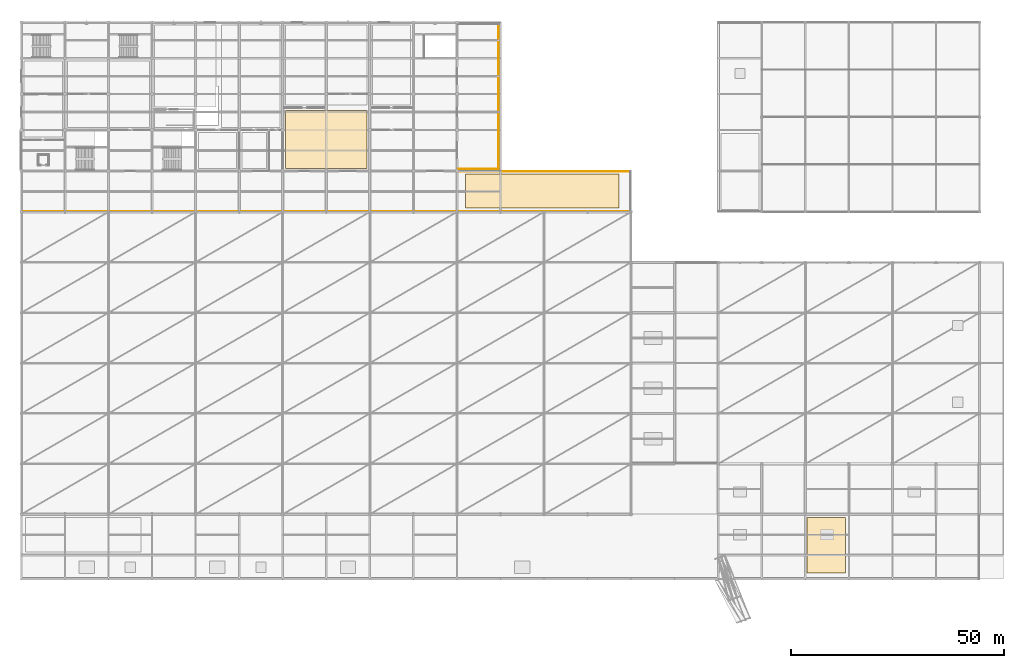
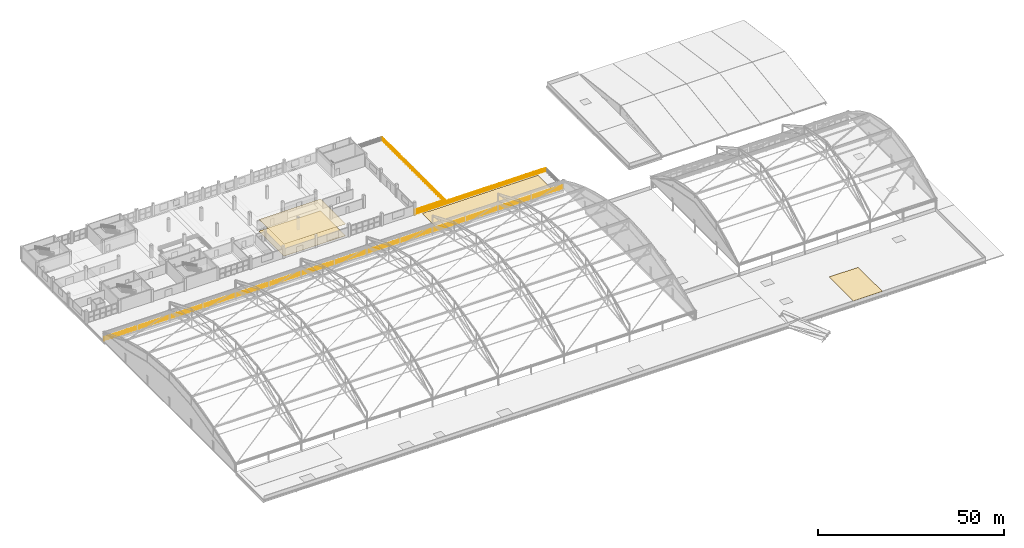
# One storey, part 132 of 135: 4 coverings, 4 railings.
"""IFC4 building model written with IfcOpenShell, lengths in metres."""

from ifc_helpers import new_model, si_unit, direction, frame, origin, origin_2d, place, context, subcontext, project, spatial, polyline, circle, outline, extrude, material, layer, layer_set, type_object, element, save


model = new_model("IFC4")

# Units and contexts
model_context = context("Model", 3, precision=1e-05, world=origin(), true_north=direction((0.0, 1.0)))
body_context = subcontext(model_context, "Body", "Model", "MODEL_VIEW")
ifc_project = project(units=[si_unit("LENGTHUNIT", "METRE"), si_unit("AREAUNIT", "SQUARE_METRE"), si_unit("VOLUMEUNIT", "CUBIC_METRE"), si_unit("PLANEANGLEUNIT", "RADIAN"), si_unit("MASSUNIT", "GRAM", prefix="KILO")], contexts=[model_context])

# Site, building, storey
site_placement = place(None, origin())
site = spatial("IfcSite", under=ifc_project, at=site_placement, CompositionType="ELEMENT")
building_placement = place(site_placement, origin())
building = spatial("IfcBuilding", under=site, at=building_placement, Name="Brelvane Convention Centre", CompositionType="ELEMENT")
storey_placement = place(building_placement, frame((0.0, 0.0, 15.0)))
storey = spatial("IfcBuildingStorey", under=building, at=storey_placement, Name="L03", CompositionType="ELEMENT", Elevation=15.0)

# Coverings
ifc_material_1 = material(Name="Patinated Copper-Bronze Alloy C22000")
ifc_layer_1 = layer(ifc_material_1, 0.052001953125)
ifc_layer_set_1 = layer_set([ifc_layer_1], Name="Patinated Copper-Bronze Alloy C22000")
covering_type_1 = type_object("IfcCoveringType", Name="Envelope Covering RF-SS2", PredefinedType="ROOFING", material=ifc_layer_set_1)
covering_1_placement = place(storey_placement, origin())
element("IfcCovering", 1, at=covering_1_placement, inside=storey, type_object=covering_type_1, Name="Standing-Seam Copper Roof Covering L03-V5LOW", PredefinedType="ROOFING", context=body_context, shape_type="SweptSolid", body=[
    extrude(outline(polyline([(184.0, 15.0), (193.0, 15.0), (193.0, 28.0), (184.0, 28.0), (184.0, 15.0)])), origin(), (0.0, 0.0, 1.0), 0.052001953125),
])
covering_2_placement = place(storey_placement, origin())
element("IfcCovering", 2, at=covering_2_placement, inside=storey, type_object=covering_type_1, Name="Standing-Seam Copper Roof Covering L03-SYDSE", PredefinedType="ROOFING", context=body_context, shape_type="SweptSolid", body=[
    extrude(outline(polyline([(104.0, 100.5), (140.0, 100.5), (140.0, 108.5), (104.0, 108.5), (104.0, 100.5)])), origin(), (0.0, 0.0, 1.0), 0.052001953125),
])
ifc_material_2 = material(Name="Moisture-Resistant Acoustic Gypsum Ceiling Tile Grade A")
ifc_layer_2 = layer(ifc_material_2, 0.02490234375)
ifc_layer_set_2 = layer_set([ifc_layer_2], Name="Moisture-Resistant Acoustic Gypsum Ceiling Tile Grade A")
covering_type_2 = type_object("IfcCoveringType", Name="Interior Finish CL-GYP-25", PredefinedType="CEILING", material=ifc_layer_set_2)
covering_3_placement = place(storey_placement, frame((0.0, 0.0, 3.864990234375)))
element("IfcCovering", 3, at=covering_3_placement, inside=storey, type_object=covering_type_2, Name="Pre-function Foyer Meeting L03 Acoustic Ceiling (CL-GYP-25)", PredefinedType="CEILING", context=body_context, shape_type="SweptSolid", body=[
    extrude(outline(polyline([(61.830078125, 109.830078125), (80.969970703125, 109.830078125), (80.969970703125, 123.3701171875), (61.830078125, 123.3701171875), (61.830078125, 109.830078125)])), origin(), (0.0, 0.0, 1.0), 0.02490234375),
])
ifc_material_3 = material(Name="Solution-Dyed Heavy Contract Wool Carpet Class 1")
ifc_layer_3 = layer(ifc_material_3, 0.028076171875)
ifc_layer_set_3 = layer_set([ifc_layer_3], Name="Solution-Dyed Heavy Contract Wool Carpet Class 1")
covering_type_3 = type_object("IfcCoveringType", Name="Interior Finish FL-CPT-28", PredefinedType="FLOORING", material=ifc_layer_set_3)
covering_4_placement = place(storey_placement, origin())
element("IfcCovering", 4, at=covering_4_placement, inside=storey, type_object=covering_type_3, Name="Pre-function Foyer Meeting L03 Floor Finish (FL-CPT-28)", PredefinedType="FLOORING", context=body_context, shape_type="SweptSolid", body=[
    extrude(outline(polyline([(61.830078125, 109.830078125), (80.969970703125, 109.830078125), (80.969970703125, 123.3701171875), (61.830078125, 123.3701171875), (61.830078125, 109.830078125)])), origin(), (0.0, 0.0, 1.0), 0.028076171875),
])

# Railings
ifc_material_4 = material(Name="Steel E350 (350 MPa)", Category="steel")
railing_type_1 = type_object("IfcRailingType", Name="Railing GR-EXT-1", PredefinedType="GUARDRAIL", material=ifc_material_4)
railing_1_placement = place(storey_placement, frame((0.14990234375, 99.75, 0.0)))
element("IfcRailing", 5, at=railing_1_placement, inside=storey, type_object=railing_type_1, Name="Railing GR-EXT-1 L03-rg_court_l03_s1", PredefinedType="GUARDRAIL", context=body_context, shape_type="SweptSolid", body=[
    extrude(circle(Radius=0.02392578125, at=origin_2d()), frame((0.0, 0.0, 1.1259765625), z_axis=(1.0, 0.0, 0.0), x_axis=(0.0, 1.0, 0.0)), (0.0, 0.0, 1.0), 142.5),
    extrude(circle(Radius=0.02392578125, at=origin_2d()), frame((0.0, 0.0, 0.597900390625), z_axis=(1.0, 0.0, 0.0), x_axis=(0.0, 1.0, 0.0)), (0.0, 0.0, 1.0), 142.5),
    extrude(circle(Radius=0.02392578125, at=origin_2d()), frame((0.0, 0.0, 0.139892578125), z_axis=(1.0, 0.0, 0.0), x_axis=(0.0, 1.0, 0.0)), (0.0, 0.0, 1.0), 142.5),
    extrude(circle(Radius=0.02099609375, at=origin_2d()), origin(), (0.0, 0.0, 1.0), 1.101806640625),
    extrude(circle(Radius=0.02099609375, at=origin_2d()), frame((1.197509765625, 0.0, 0.0)), (0.0, 0.0, 1.0), 1.101806640625),
    extrude(circle(Radius=0.02099609375, at=origin_2d()), frame((2.39501953125, 0.0, 0.0)), (0.0, 0.0, 1.0), 1.101806640625),
    extrude(circle(Radius=0.02099609375, at=origin_2d()), frame((3.592529296875, 0.0, 0.0)), (0.0, 0.0, 1.0), 1.101806640625),
    extrude(circle(Radius=0.02099609375, at=origin_2d()), frame((4.789794921875, 0.0, 0.0)), (0.0, 0.0, 1.0), 1.101806640625),
    extrude(circle(Radius=0.02099609375, at=origin_2d()), frame((5.9873046875, 0.0, 0.0)), (0.0, 0.0, 1.0), 1.101806640625),
    extrude(circle(Radius=0.02099609375, at=origin_2d()), frame((7.184814453125, 0.0, 0.0)), (0.0, 0.0, 1.0), 1.101806640625),
    extrude(circle(Radius=0.02099609375, at=origin_2d()), frame((8.38232421875, 0.0, 0.0)), (0.0, 0.0, 1.0), 1.101806640625),
    extrude(circle(Radius=0.02099609375, at=origin_2d()), frame((9.579833984375, 0.0, 0.0)), (0.0, 0.0, 1.0), 1.101806640625),
    extrude(circle(Radius=0.02099609375, at=origin_2d()), frame((10.77734375, 0.0, 0.0)), (0.0, 0.0, 1.0), 1.101806640625),
    extrude(circle(Radius=0.02099609375, at=origin_2d()), frame((11.974853515625, 0.0, 0.0)), (0.0, 0.0, 1.0), 1.101806640625),
    extrude(circle(Radius=0.02099609375, at=origin_2d()), frame((13.17236328125, 0.0, 0.0)), (0.0, 0.0, 1.0), 1.101806640625),
    extrude(circle(Radius=0.02099609375, at=origin_2d()), frame((14.36962890625, 0.0, 0.0)), (0.0, 0.0, 1.0), 1.101806640625),
    extrude(circle(Radius=0.02099609375, at=origin_2d()), frame((15.567138671875, 0.0, 0.0)), (0.0, 0.0, 1.0), 1.101806640625),
    extrude(circle(Radius=0.02099609375, at=origin_2d()), frame((16.7646484375, 0.0, 0.0)), (0.0, 0.0, 1.0), 1.101806640625),
    extrude(circle(Radius=0.02099609375, at=origin_2d()), frame((17.962158203125, 0.0, 0.0)), (0.0, 0.0, 1.0), 1.101806640625),
    extrude(circle(Radius=0.02099609375, at=origin_2d()), frame((19.15966796875, 0.0, 0.0)), (0.0, 0.0, 1.0), 1.101806640625),
    extrude(circle(Radius=0.02099609375, at=origin_2d()), frame((20.357177734375, 0.0, 0.0)), (0.0, 0.0, 1.0), 1.101806640625),
    extrude(circle(Radius=0.02099609375, at=origin_2d()), frame((21.5546875, 0.0, 0.0)), (0.0, 0.0, 1.0), 1.101806640625),
    extrude(circle(Radius=0.02099609375, at=origin_2d()), frame((22.752197265625, 0.0, 0.0)), (0.0, 0.0, 1.0), 1.101806640625),
    extrude(circle(Radius=0.02099609375, at=origin_2d()), frame((23.949462890625, 0.0, 0.0)), (0.0, 0.0, 1.0), 1.101806640625),
    extrude(circle(Radius=0.02099609375, at=origin_2d()), frame((25.14697265625, 0.0, 0.0)), (0.0, 0.0, 1.0), 1.101806640625),
    extrude(circle(Radius=0.02099609375, at=origin_2d()), frame((26.344482421875, 0.0, 0.0)), (0.0, 0.0, 1.0), 1.101806640625),
    extrude(circle(Radius=0.02099609375, at=origin_2d()), frame((27.5419921875, 0.0, 0.0)), (0.0, 0.0, 1.0), 1.101806640625),
    extrude(circle(Radius=0.02099609375, at=origin_2d()), frame((28.739501953125, 0.0, 0.0)), (0.0, 0.0, 1.0), 1.101806640625),
    extrude(circle(Radius=0.02099609375, at=origin_2d()), frame((29.93701171875, 0.0, 0.0)), (0.0, 0.0, 1.0), 1.101806640625),
    extrude(circle(Radius=0.02099609375, at=origin_2d()), frame((31.134521484375, 0.0, 0.0)), (0.0, 0.0, 1.0), 1.101806640625),
    extrude(circle(Radius=0.02099609375, at=origin_2d()), frame((32.33203125, 0.0, 0.0)), (0.0, 0.0, 1.0), 1.101806640625),
    extrude(circle(Radius=0.02099609375, at=origin_2d()), frame((33.529296875, 0.0, 0.0)), (0.0, 0.0, 1.0), 1.101806640625),
    extrude(circle(Radius=0.02099609375, at=origin_2d()), frame((34.726806640625, 0.0, 0.0)), (0.0, 0.0, 1.0), 1.101806640625),
    extrude(circle(Radius=0.02099609375, at=origin_2d()), frame((35.92431640625, 0.0, 0.0)), (0.0, 0.0, 1.0), 1.101806640625),
    extrude(circle(Radius=0.02099609375, at=origin_2d()), frame((37.121826171875, 0.0, 0.0)), (0.0, 0.0, 1.0), 1.101806640625),
    extrude(circle(Radius=0.02099609375, at=origin_2d()), frame((38.3193359375, 0.0, 0.0)), (0.0, 0.0, 1.0), 1.101806640625),
    extrude(circle(Radius=0.02099609375, at=origin_2d()), frame((39.516845703125, 0.0, 0.0)), (0.0, 0.0, 1.0), 1.101806640625),
    extrude(circle(Radius=0.02099609375, at=origin_2d()), frame((40.71435546875, 0.0, 0.0)), (0.0, 0.0, 1.0), 1.101806640625),
    extrude(circle(Radius=0.02099609375, at=origin_2d()), frame((41.911865234375, 0.0, 0.0)), (0.0, 0.0, 1.0), 1.101806640625),
    extrude(circle(Radius=0.02099609375, at=origin_2d()), frame((43.109130859375, 0.0, 0.0)), (0.0, 0.0, 1.0), 1.101806640625),
    extrude(circle(Radius=0.02099609375, at=origin_2d()), frame((44.306640625, 0.0, 0.0)), (0.0, 0.0, 1.0), 1.101806640625),
    extrude(circle(Radius=0.02099609375, at=origin_2d()), frame((45.504150390625, 0.0, 0.0)), (0.0, 0.0, 1.0), 1.101806640625),
    extrude(circle(Radius=0.02099609375, at=origin_2d()), frame((46.70166015625, 0.0, 0.0)), (0.0, 0.0, 1.0), 1.101806640625),
    extrude(circle(Radius=0.02099609375, at=origin_2d()), frame((47.899169921875, 0.0, 0.0)), (0.0, 0.0, 1.0), 1.101806640625),
    extrude(circle(Radius=0.02099609375, at=origin_2d()), frame((49.0966796875, 0.0, 0.0)), (0.0, 0.0, 1.0), 1.101806640625),
    extrude(circle(Radius=0.02099609375, at=origin_2d()), frame((50.294189453125, 0.0, 0.0)), (0.0, 0.0, 1.0), 1.101806640625),
    extrude(circle(Radius=0.02099609375, at=origin_2d()), frame((51.49169921875, 0.0, 0.0)), (0.0, 0.0, 1.0), 1.101806640625),
    extrude(circle(Radius=0.02099609375, at=origin_2d()), frame((52.68896484375, 0.0, 0.0)), (0.0, 0.0, 1.0), 1.101806640625),
    extrude(circle(Radius=0.02099609375, at=origin_2d()), frame((53.886474609375, 0.0, 0.0)), (0.0, 0.0, 1.0), 1.101806640625),
    extrude(circle(Radius=0.02099609375, at=origin_2d()), frame((55.083984375, 0.0, 0.0)), (0.0, 0.0, 1.0), 1.101806640625),
    extrude(circle(Radius=0.02099609375, at=origin_2d()), frame((56.281494140625, 0.0, 0.0)), (0.0, 0.0, 1.0), 1.101806640625),
    extrude(circle(Radius=0.02099609375, at=origin_2d()), frame((57.47900390625, 0.0, 0.0)), (0.0, 0.0, 1.0), 1.101806640625),
    extrude(circle(Radius=0.02099609375, at=origin_2d()), frame((58.676513671875, 0.0, 0.0)), (0.0, 0.0, 1.0), 1.101806640625),
    extrude(circle(Radius=0.02099609375, at=origin_2d()), frame((59.8740234375, 0.0, 0.0)), (0.0, 0.0, 1.0), 1.101806640625),
    extrude(circle(Radius=0.02099609375, at=origin_2d()), frame((61.071533203125, 0.0, 0.0)), (0.0, 0.0, 1.0), 1.101806640625),
    extrude(circle(Radius=0.02099609375, at=origin_2d()), frame((62.268798828125, 0.0, 0.0)), (0.0, 0.0, 1.0), 1.101806640625),
    extrude(circle(Radius=0.02099609375, at=origin_2d()), frame((63.46630859375, 0.0, 0.0)), (0.0, 0.0, 1.0), 1.101806640625),
    extrude(circle(Radius=0.02099609375, at=origin_2d()), frame((64.663818359375, 0.0, 0.0)), (0.0, 0.0, 1.0), 1.101806640625),
    extrude(circle(Radius=0.02099609375, at=origin_2d()), frame((65.861328125, 0.0, 0.0)), (0.0, 0.0, 1.0), 1.101806640625),
    extrude(circle(Radius=0.02099609375, at=origin_2d()), frame((67.058837890625, 0.0, 0.0)), (0.0, 0.0, 1.0), 1.101806640625),
    extrude(circle(Radius=0.02099609375, at=origin_2d()), frame((68.25634765625, 0.0, 0.0)), (0.0, 0.0, 1.0), 1.101806640625),
    extrude(circle(Radius=0.02099609375, at=origin_2d()), frame((69.453857421875, 0.0, 0.0)), (0.0, 0.0, 1.0), 1.101806640625),
    extrude(circle(Radius=0.02099609375, at=origin_2d()), frame((70.6513671875, 0.0, 0.0)), (0.0, 0.0, 1.0), 1.101806640625),
    extrude(circle(Radius=0.02099609375, at=origin_2d()), frame((71.8486328125, 0.0, 0.0)), (0.0, 0.0, 1.0), 1.101806640625),
    extrude(circle(Radius=0.02099609375, at=origin_2d()), frame((73.046142578125, 0.0, 0.0)), (0.0, 0.0, 1.0), 1.101806640625),
    extrude(circle(Radius=0.02099609375, at=origin_2d()), frame((74.24365234375, 0.0, 0.0)), (0.0, 0.0, 1.0), 1.101806640625),
    extrude(circle(Radius=0.02099609375, at=origin_2d()), frame((75.441162109375, 0.0, 0.0)), (0.0, 0.0, 1.0), 1.101806640625),
    extrude(circle(Radius=0.02099609375, at=origin_2d()), frame((76.638671875, 0.0, 0.0)), (0.0, 0.0, 1.0), 1.101806640625),
    extrude(circle(Radius=0.02099609375, at=origin_2d()), frame((77.836181640625, 0.0, 0.0)), (0.0, 0.0, 1.0), 1.101806640625),
    extrude(circle(Radius=0.02099609375, at=origin_2d()), frame((79.03369140625, 0.0, 0.0)), (0.0, 0.0, 1.0), 1.101806640625),
    extrude(circle(Radius=0.02099609375, at=origin_2d()), frame((80.231201171875, 0.0, 0.0)), (0.0, 0.0, 1.0), 1.101806640625),
    extrude(circle(Radius=0.02099609375, at=origin_2d()), frame((81.428466796875, 0.0, 0.0)), (0.0, 0.0, 1.0), 1.101806640625),
    extrude(circle(Radius=0.02099609375, at=origin_2d()), frame((82.6259765625, 0.0, 0.0)), (0.0, 0.0, 1.0), 1.101806640625),
    extrude(circle(Radius=0.02099609375, at=origin_2d()), frame((83.823486328125, 0.0, 0.0)), (0.0, 0.0, 1.0), 1.101806640625),
    extrude(circle(Radius=0.02099609375, at=origin_2d()), frame((85.02099609375, 0.0, 0.0)), (0.0, 0.0, 1.0), 1.101806640625),
    extrude(circle(Radius=0.02099609375, at=origin_2d()), frame((86.218505859375, 0.0, 0.0)), (0.0, 0.0, 1.0), 1.101806640625),
    extrude(circle(Radius=0.02099609375, at=origin_2d()), frame((87.416015625, 0.0, 0.0)), (0.0, 0.0, 1.0), 1.101806640625),
    extrude(circle(Radius=0.02099609375, at=origin_2d()), frame((88.613525390625, 0.0, 0.0)), (0.0, 0.0, 1.0), 1.101806640625),
    extrude(circle(Radius=0.02099609375, at=origin_2d()), frame((89.81103515625, 0.0, 0.0)), (0.0, 0.0, 1.0), 1.101806640625),
    extrude(circle(Radius=0.02099609375, at=origin_2d()), frame((91.00830078125, 0.0, 0.0)), (0.0, 0.0, 1.0), 1.101806640625),
    extrude(circle(Radius=0.02099609375, at=origin_2d()), frame((92.205810546875, 0.0, 0.0)), (0.0, 0.0, 1.0), 1.101806640625),
    extrude(circle(Radius=0.02099609375, at=origin_2d()), frame((93.4033203125, 0.0, 0.0)), (0.0, 0.0, 1.0), 1.101806640625),
    extrude(circle(Radius=0.02099609375, at=origin_2d()), frame((94.600830078125, 0.0, 0.0)), (0.0, 0.0, 1.0), 1.101806640625),
    extrude(circle(Radius=0.02099609375, at=origin_2d()), frame((95.79833984375, 0.0, 0.0)), (0.0, 0.0, 1.0), 1.101806640625),
    extrude(circle(Radius=0.02099609375, at=origin_2d()), frame((96.995849609375, 0.0, 0.0)), (0.0, 0.0, 1.0), 1.101806640625),
    extrude(circle(Radius=0.02099609375, at=origin_2d()), frame((98.193359375, 0.0, 0.0)), (0.0, 0.0, 1.0), 1.101806640625),
    extrude(circle(Radius=0.02099609375, at=origin_2d()), frame((99.390869140625, 0.0, 0.0)), (0.0, 0.0, 1.0), 1.101806640625),
    extrude(circle(Radius=0.02099609375, at=origin_2d()), frame((100.588134765625, 0.0, 0.0)), (0.0, 0.0, 1.0), 1.101806640625),
    extrude(circle(Radius=0.02099609375, at=origin_2d()), frame((101.78564453125, 0.0, 0.0)), (0.0, 0.0, 1.0), 1.101806640625),
    extrude(circle(Radius=0.02099609375, at=origin_2d()), frame((102.983154296875, 0.0, 0.0)), (0.0, 0.0, 1.0), 1.101806640625),
    extrude(circle(Radius=0.02099609375, at=origin_2d()), frame((104.1806640625, 0.0, 0.0)), (0.0, 0.0, 1.0), 1.101806640625),
    extrude(circle(Radius=0.02099609375, at=origin_2d()), frame((105.378173828125, 0.0, 0.0)), (0.0, 0.0, 1.0), 1.101806640625),
    extrude(circle(Radius=0.02099609375, at=origin_2d()), frame((106.57568359375, 0.0, 0.0)), (0.0, 0.0, 1.0), 1.101806640625),
    extrude(circle(Radius=0.02099609375, at=origin_2d()), frame((107.773193359375, 0.0, 0.0)), (0.0, 0.0, 1.0), 1.101806640625),
    extrude(circle(Radius=0.02099609375, at=origin_2d()), frame((108.970703125, 0.0, 0.0)), (0.0, 0.0, 1.0), 1.101806640625),
    extrude(circle(Radius=0.02099609375, at=origin_2d()), frame((110.16796875, 0.0, 0.0)), (0.0, 0.0, 1.0), 1.101806640625),
    extrude(circle(Radius=0.02099609375, at=origin_2d()), frame((111.365478515625, 0.0, 0.0)), (0.0, 0.0, 1.0), 1.101806640625),
    extrude(circle(Radius=0.02099609375, at=origin_2d()), frame((112.56298828125, 0.0, 0.0)), (0.0, 0.0, 1.0), 1.101806640625),
    extrude(circle(Radius=0.02099609375, at=origin_2d()), frame((113.760498046875, 0.0, 0.0)), (0.0, 0.0, 1.0), 1.101806640625),
    extrude(circle(Radius=0.02099609375, at=origin_2d()), frame((114.9580078125, 0.0, 0.0)), (0.0, 0.0, 1.0), 1.101806640625),
    extrude(circle(Radius=0.02099609375, at=origin_2d()), frame((116.155517578125, 0.0, 0.0)), (0.0, 0.0, 1.0), 1.101806640625),
    extrude(circle(Radius=0.02099609375, at=origin_2d()), frame((117.35302734375, 0.0, 0.0)), (0.0, 0.0, 1.0), 1.101806640625),
    extrude(circle(Radius=0.02099609375, at=origin_2d()), frame((118.550537109375, 0.0, 0.0)), (0.0, 0.0, 1.0), 1.101806640625),
    extrude(circle(Radius=0.02099609375, at=origin_2d()), frame((119.747802734375, 0.0, 0.0)), (0.0, 0.0, 1.0), 1.101806640625),
    extrude(circle(Radius=0.02099609375, at=origin_2d()), frame((120.9453125, 0.0, 0.0)), (0.0, 0.0, 1.0), 1.101806640625),
    extrude(circle(Radius=0.02099609375, at=origin_2d()), frame((122.142822265625, 0.0, 0.0)), (0.0, 0.0, 1.0), 1.101806640625),
    extrude(circle(Radius=0.02099609375, at=origin_2d()), frame((123.34033203125, 0.0, 0.0)), (0.0, 0.0, 1.0), 1.101806640625),
    extrude(circle(Radius=0.02099609375, at=origin_2d()), frame((124.537841796875, 0.0, 0.0)), (0.0, 0.0, 1.0), 1.101806640625),
    extrude(circle(Radius=0.02099609375, at=origin_2d()), frame((125.7353515625, 0.0, 0.0)), (0.0, 0.0, 1.0), 1.101806640625),
    extrude(circle(Radius=0.02099609375, at=origin_2d()), frame((126.932861328125, 0.0, 0.0)), (0.0, 0.0, 1.0), 1.101806640625),
    extrude(circle(Radius=0.02099609375, at=origin_2d()), frame((128.13037109375, 0.0, 0.0)), (0.0, 0.0, 1.0), 1.101806640625),
    extrude(circle(Radius=0.02099609375, at=origin_2d()), frame((129.32763671875, 0.0, 0.0)), (0.0, 0.0, 1.0), 1.101806640625),
    extrude(circle(Radius=0.02099609375, at=origin_2d()), frame((130.525146484375, 0.0, 0.0)), (0.0, 0.0, 1.0), 1.101806640625),
    extrude(circle(Radius=0.02099609375, at=origin_2d()), frame((131.72265625, 0.0, 0.0)), (0.0, 0.0, 1.0), 1.101806640625),
    extrude(circle(Radius=0.02099609375, at=origin_2d()), frame((132.920166015625, 0.0, 0.0)), (0.0, 0.0, 1.0), 1.101806640625),
    extrude(circle(Radius=0.02099609375, at=origin_2d()), frame((134.11767578125, 0.0, 0.0)), (0.0, 0.0, 1.0), 1.101806640625),
    extrude(circle(Radius=0.02099609375, at=origin_2d()), frame((135.315185546875, 0.0, 0.0)), (0.0, 0.0, 1.0), 1.101806640625),
    extrude(circle(Radius=0.02099609375, at=origin_2d()), frame((136.5126953125, 0.0, 0.0)), (0.0, 0.0, 1.0), 1.101806640625),
    extrude(circle(Radius=0.02099609375, at=origin_2d()), frame((137.710205078125, 0.0, 0.0)), (0.0, 0.0, 1.0), 1.101806640625),
    extrude(circle(Radius=0.02099609375, at=origin_2d()), frame((138.907470703125, 0.0, 0.0)), (0.0, 0.0, 1.0), 1.101806640625),
    extrude(circle(Radius=0.02099609375, at=origin_2d()), frame((140.10498046875, 0.0, 0.0)), (0.0, 0.0, 1.0), 1.101806640625),
    extrude(circle(Radius=0.02099609375, at=origin_2d()), frame((141.302490234375, 0.0, 0.0)), (0.0, 0.0, 1.0), 1.101806640625),
    extrude(circle(Radius=0.02099609375, at=origin_2d()), frame((142.5, 0.0, 0.0)), (0.0, 0.0, 1.0), 1.101806640625),
])
railing_2_placement = place(storey_placement, frame((142.64990234375, 109.050048828125, 0.0)))
element("IfcRailing", 6, at=railing_2_placement, inside=storey, type_object=railing_type_1, Name="Railing GR-EXT-1 L03-rg_court_l03_s3", PredefinedType="GUARDRAIL", context=body_context, shape_type="SweptSolid", body=[
    extrude(circle(Radius=0.02392578125, at=origin_2d()), frame((0.0, 0.0, 1.1259765625), z_axis=(-1.0, 0.0, 0.0), x_axis=(0.0, -1.0, 0.0)), (0.0, 0.0, 1.0), 40.599853515625),
    extrude(circle(Radius=0.02392578125, at=origin_2d()), frame((0.0, 0.0, 0.597900390625), z_axis=(-1.0, 0.0, 0.0), x_axis=(0.0, -1.0, 0.0)), (0.0, 0.0, 1.0), 40.599853515625),
    extrude(circle(Radius=0.02392578125, at=origin_2d()), frame((0.0, 0.0, 0.139892578125), z_axis=(-1.0, 0.0, 0.0), x_axis=(0.0, -1.0, 0.0)), (0.0, 0.0, 1.0), 40.599853515625),
    extrude(circle(Radius=0.02099609375, at=origin_2d()), origin(), (0.0, 0.0, 1.0), 1.101806640625),
    extrude(circle(Radius=0.02099609375, at=origin_2d()), frame((-1.194091796875, 0.0, 0.0)), (0.0, 0.0, 1.0), 1.101806640625),
    extrude(circle(Radius=0.02099609375, at=origin_2d()), frame((-2.38818359375, 0.0, 0.0)), (0.0, 0.0, 1.0), 1.101806640625),
    extrude(circle(Radius=0.02099609375, at=origin_2d()), frame((-3.582275390625, 0.0, 0.0)), (0.0, 0.0, 1.0), 1.101806640625),
    extrude(circle(Radius=0.02099609375, at=origin_2d()), frame((-4.7763671875, 0.0, 0.0)), (0.0, 0.0, 1.0), 1.101806640625),
    extrude(circle(Radius=0.02099609375, at=origin_2d()), frame((-5.970458984375, 0.0, 0.0)), (0.0, 0.0, 1.0), 1.101806640625),
    extrude(circle(Radius=0.02099609375, at=origin_2d()), frame((-7.164794921875, 0.0, 0.0)), (0.0, 0.0, 1.0), 1.101806640625),
    extrude(circle(Radius=0.02099609375, at=origin_2d()), frame((-8.35888671875, 0.0, 0.0)), (0.0, 0.0, 1.0), 1.101806640625),
    extrude(circle(Radius=0.02099609375, at=origin_2d()), frame((-9.552978515625, 0.0, 0.0)), (0.0, 0.0, 1.0), 1.101806640625),
    extrude(circle(Radius=0.02099609375, at=origin_2d()), frame((-10.7470703125, 0.0, 0.0)), (0.0, 0.0, 1.0), 1.101806640625),
    extrude(circle(Radius=0.02099609375, at=origin_2d()), frame((-11.941162109375, 0.0, 0.0)), (0.0, 0.0, 1.0), 1.101806640625),
    extrude(circle(Radius=0.02099609375, at=origin_2d()), frame((-13.13525390625, 0.0, 0.0)), (0.0, 0.0, 1.0), 1.101806640625),
    extrude(circle(Radius=0.02099609375, at=origin_2d()), frame((-14.329345703125, 0.0, 0.0)), (0.0, 0.0, 1.0), 1.101806640625),
    extrude(circle(Radius=0.02099609375, at=origin_2d()), frame((-15.5234375, 0.0, 0.0)), (0.0, 0.0, 1.0), 1.101806640625),
    extrude(circle(Radius=0.02099609375, at=origin_2d()), frame((-16.717529296875, 0.0, 0.0)), (0.0, 0.0, 1.0), 1.101806640625),
    extrude(circle(Radius=0.02099609375, at=origin_2d()), frame((-17.91162109375, 0.0, 0.0)), (0.0, 0.0, 1.0), 1.101806640625),
    extrude(circle(Radius=0.02099609375, at=origin_2d()), frame((-19.105712890625, 0.0, 0.0)), (0.0, 0.0, 1.0), 1.101806640625),
    extrude(circle(Radius=0.02099609375, at=origin_2d()), frame((-20.2998046875, 0.0, 0.0)), (0.0, 0.0, 1.0), 1.101806640625),
    extrude(circle(Radius=0.02099609375, at=origin_2d()), frame((-21.494140625, 0.0, 0.0)), (0.0, 0.0, 1.0), 1.101806640625),
    extrude(circle(Radius=0.02099609375, at=origin_2d()), frame((-22.688232421875, 0.0, 0.0)), (0.0, 0.0, 1.0), 1.101806640625),
    extrude(circle(Radius=0.02099609375, at=origin_2d()), frame((-23.88232421875, 0.0, 0.0)), (0.0, 0.0, 1.0), 1.101806640625),
    extrude(circle(Radius=0.02099609375, at=origin_2d()), frame((-25.076416015625, 0.0, 0.0)), (0.0, 0.0, 1.0), 1.101806640625),
    extrude(circle(Radius=0.02099609375, at=origin_2d()), frame((-26.2705078125, 0.0, 0.0)), (0.0, 0.0, 1.0), 1.101806640625),
    extrude(circle(Radius=0.02099609375, at=origin_2d()), frame((-27.464599609375, 0.0, 0.0)), (0.0, 0.0, 1.0), 1.101806640625),
    extrude(circle(Radius=0.02099609375, at=origin_2d()), frame((-28.65869140625, 0.0, 0.0)), (0.0, 0.0, 1.0), 1.101806640625),
    extrude(circle(Radius=0.02099609375, at=origin_2d()), frame((-29.852783203125, 0.0, 0.0)), (0.0, 0.0, 1.0), 1.101806640625),
    extrude(circle(Radius=0.02099609375, at=origin_2d()), frame((-31.046875, 0.0, 0.0)), (0.0, 0.0, 1.0), 1.101806640625),
    extrude(circle(Radius=0.02099609375, at=origin_2d()), frame((-32.240966796875, 0.0, 0.0)), (0.0, 0.0, 1.0), 1.101806640625),
    extrude(circle(Radius=0.02099609375, at=origin_2d()), frame((-33.43505859375, 0.0, 0.0)), (0.0, 0.0, 1.0), 1.101806640625),
    extrude(circle(Radius=0.02099609375, at=origin_2d()), frame((-34.62939453125, 0.0, 0.0)), (0.0, 0.0, 1.0), 1.101806640625),
    extrude(circle(Radius=0.02099609375, at=origin_2d()), frame((-35.823486328125, 0.0, 0.0)), (0.0, 0.0, 1.0), 1.101806640625),
    extrude(circle(Radius=0.02099609375, at=origin_2d()), frame((-37.017578125, 0.0, 0.0)), (0.0, 0.0, 1.0), 1.101806640625),
    extrude(circle(Radius=0.02099609375, at=origin_2d()), frame((-38.211669921875, 0.0, 0.0)), (0.0, 0.0, 1.0), 1.101806640625),
    extrude(circle(Radius=0.02099609375, at=origin_2d()), frame((-39.40576171875, 0.0, 0.0)), (0.0, 0.0, 1.0), 1.101806640625),
    extrude(circle(Radius=0.02099609375, at=origin_2d()), frame((-40.599853515625, 0.0, 0.0)), (0.0, 0.0, 1.0), 1.101806640625),
])
ifc_material_5 = material(Name="Steel E350 (350 MPa)", Category="steel")
railing_type_2 = type_object("IfcRailingType", Name="Railing GR-EXT-2", PredefinedType="GUARDRAIL", material=ifc_material_5)
railing_3_placement = place(storey_placement, frame((102.300048828125, 109.64990234375, 0.0)))
element("IfcRailing", 7, at=railing_3_placement, inside=storey, type_object=railing_type_2, Name="Railing GR-EXT-2 L03-rg_meet_l03_s1", PredefinedType="GUARDRAIL", context=body_context, shape_type="SweptSolid", body=[
    extrude(circle(Radius=0.02392578125, at=origin_2d()), frame((0.0, 0.0, 1.17578125), z_axis=(1.0, 0.0, 0.0), x_axis=(0.0, 1.0, 0.0)), (0.0, 0.0, 1.0), 9.449951171875),
    extrude(circle(Radius=0.02392578125, at=origin_2d()), frame((0.0, 0.0, 0.6240234375), z_axis=(1.0, 0.0, 0.0), x_axis=(0.0, 1.0, 0.0)), (0.0, 0.0, 1.0), 9.449951171875),
    extrude(circle(Radius=0.02392578125, at=origin_2d()), frame((0.0, 0.0, 0.139892578125), z_axis=(1.0, 0.0, 0.0), x_axis=(0.0, 1.0, 0.0)), (0.0, 0.0, 1.0), 9.449951171875),
    extrude(circle(Radius=0.02099609375, at=origin_2d()), origin(), (0.0, 0.0, 1.0), 1.15185546875),
    extrude(circle(Radius=0.02099609375, at=origin_2d()), frame((1.18115234375, 0.0, 0.0)), (0.0, 0.0, 1.0), 1.15185546875),
    extrude(circle(Radius=0.02099609375, at=origin_2d()), frame((2.362548828125, 0.0, 0.0)), (0.0, 0.0, 1.0), 1.15185546875),
    extrude(circle(Radius=0.02099609375, at=origin_2d()), frame((3.543701171875, 0.0, 0.0)), (0.0, 0.0, 1.0), 1.15185546875),
    extrude(circle(Radius=0.02099609375, at=origin_2d()), frame((4.72509765625, 0.0, 0.0)), (0.0, 0.0, 1.0), 1.15185546875),
    extrude(circle(Radius=0.02099609375, at=origin_2d()), frame((5.90625, 0.0, 0.0)), (0.0, 0.0, 1.0), 1.15185546875),
    extrude(circle(Radius=0.02099609375, at=origin_2d()), frame((7.08740234375, 0.0, 0.0)), (0.0, 0.0, 1.0), 1.15185546875),
    extrude(circle(Radius=0.02099609375, at=origin_2d()), frame((8.268798828125, 0.0, 0.0)), (0.0, 0.0, 1.0), 1.15185546875),
    extrude(circle(Radius=0.02099609375, at=origin_2d()), frame((9.449951171875, 0.0, 0.0)), (0.0, 0.0, 1.0), 1.15185546875),
])
railing_4_placement = place(storey_placement, frame((111.75, 109.64990234375, 0.0)))
element("IfcRailing", 8, at=railing_4_placement, inside=storey, type_object=railing_type_2, Name="Railing GR-EXT-2 L03-rg_meet_l03_s2", PredefinedType="GUARDRAIL", context=body_context, shape_type="SweptSolid", body=[
    extrude(circle(Radius=0.02392578125, at=origin_2d()), frame((0.0, 0.0, 1.17578125), z_axis=(0.0, 1.0, 0.0), x_axis=(-1.0, 0.0, 0.0)), (0.0, 0.0, 1.0), 33.900146484375),
    extrude(circle(Radius=0.02392578125, at=origin_2d()), frame((0.0, 0.0, 0.6240234375), z_axis=(0.0, 1.0, 0.0), x_axis=(-1.0, 0.0, 0.0)), (0.0, 0.0, 1.0), 33.900146484375),
    extrude(circle(Radius=0.02392578125, at=origin_2d()), frame((0.0, 0.0, 0.139892578125), z_axis=(0.0, 1.0, 0.0), x_axis=(-1.0, 0.0, 0.0)), (0.0, 0.0, 1.0), 33.900146484375),
    extrude(circle(Radius=0.02099609375, at=origin_2d()), origin(), (0.0, 0.0, 1.0), 1.15185546875),
    extrude(circle(Radius=0.02099609375, at=origin_2d()), frame((0.0, 1.1689453125, 0.0)), (0.0, 0.0, 1.0), 1.15185546875),
    extrude(circle(Radius=0.02099609375, at=origin_2d()), frame((0.0, 2.337890625, 0.0)), (0.0, 0.0, 1.0), 1.15185546875),
    extrude(circle(Radius=0.02099609375, at=origin_2d()), frame((0.0, 3.5068359375, 0.0)), (0.0, 0.0, 1.0), 1.15185546875),
    extrude(circle(Radius=0.02099609375, at=origin_2d()), frame((0.0, 4.67578125, 0.0)), (0.0, 0.0, 1.0), 1.15185546875),
    extrude(circle(Radius=0.02099609375, at=origin_2d()), frame((0.0, 5.844970703125, 0.0)), (0.0, 0.0, 1.0), 1.15185546875),
    extrude(circle(Radius=0.02099609375, at=origin_2d()), frame((0.0, 7.013916015625, 0.0)), (0.0, 0.0, 1.0), 1.15185546875),
    extrude(circle(Radius=0.02099609375, at=origin_2d()), frame((0.0, 8.182861328125, 0.0)), (0.0, 0.0, 1.0), 1.15185546875),
    extrude(circle(Radius=0.02099609375, at=origin_2d()), frame((0.0, 9.351806640625, 0.0)), (0.0, 0.0, 1.0), 1.15185546875),
    extrude(circle(Radius=0.02099609375, at=origin_2d()), frame((0.0, 10.520751953125, 0.0)), (0.0, 0.0, 1.0), 1.15185546875),
    extrude(circle(Radius=0.02099609375, at=origin_2d()), frame((0.0, 11.689697265625, 0.0)), (0.0, 0.0, 1.0), 1.15185546875),
    extrude(circle(Radius=0.02099609375, at=origin_2d()), frame((0.0, 12.858642578125, 0.0)), (0.0, 0.0, 1.0), 1.15185546875),
    extrude(circle(Radius=0.02099609375, at=origin_2d()), frame((0.0, 14.027587890625, 0.0)), (0.0, 0.0, 1.0), 1.15185546875),
    extrude(circle(Radius=0.02099609375, at=origin_2d()), frame((0.0, 15.196533203125, 0.0)), (0.0, 0.0, 1.0), 1.15185546875),
    extrude(circle(Radius=0.02099609375, at=origin_2d()), frame((0.0, 16.365478515625, 0.0)), (0.0, 0.0, 1.0), 1.15185546875),
    extrude(circle(Radius=0.02099609375, at=origin_2d()), frame((0.0, 17.53466796875, 0.0)), (0.0, 0.0, 1.0), 1.15185546875),
    extrude(circle(Radius=0.02099609375, at=origin_2d()), frame((0.0, 18.70361328125, 0.0)), (0.0, 0.0, 1.0), 1.15185546875),
    extrude(circle(Radius=0.02099609375, at=origin_2d()), frame((0.0, 19.87255859375, 0.0)), (0.0, 0.0, 1.0), 1.15185546875),
    extrude(circle(Radius=0.02099609375, at=origin_2d()), frame((0.0, 21.04150390625, 0.0)), (0.0, 0.0, 1.0), 1.15185546875),
    extrude(circle(Radius=0.02099609375, at=origin_2d()), frame((0.0, 22.21044921875, 0.0)), (0.0, 0.0, 1.0), 1.15185546875),
    extrude(circle(Radius=0.02099609375, at=origin_2d()), frame((0.0, 23.37939453125, 0.0)), (0.0, 0.0, 1.0), 1.15185546875),
    extrude(circle(Radius=0.02099609375, at=origin_2d()), frame((0.0, 24.54833984375, 0.0)), (0.0, 0.0, 1.0), 1.15185546875),
    extrude(circle(Radius=0.02099609375, at=origin_2d()), frame((0.0, 25.71728515625, 0.0)), (0.0, 0.0, 1.0), 1.15185546875),
    extrude(circle(Radius=0.02099609375, at=origin_2d()), frame((0.0, 26.88623046875, 0.0)), (0.0, 0.0, 1.0), 1.15185546875),
    extrude(circle(Radius=0.02099609375, at=origin_2d()), frame((0.0, 28.05517578125, 0.0)), (0.0, 0.0, 1.0), 1.15185546875),
    extrude(circle(Radius=0.02099609375, at=origin_2d()), frame((0.0, 29.224365234375, 0.0)), (0.0, 0.0, 1.0), 1.15185546875),
    extrude(circle(Radius=0.02099609375, at=origin_2d()), frame((0.0, 30.393310546875, 0.0)), (0.0, 0.0, 1.0), 1.15185546875),
    extrude(circle(Radius=0.02099609375, at=origin_2d()), frame((0.0, 31.562255859375, 0.0)), (0.0, 0.0, 1.0), 1.15185546875),
    extrude(circle(Radius=0.02099609375, at=origin_2d()), frame((0.0, 32.731201171875, 0.0)), (0.0, 0.0, 1.0), 1.15185546875),
    extrude(circle(Radius=0.02099609375, at=origin_2d()), frame((0.0, 33.900146484375, 0.0)), (0.0, 0.0, 1.0), 1.15185546875),
])

save(model, "model.ifc")
